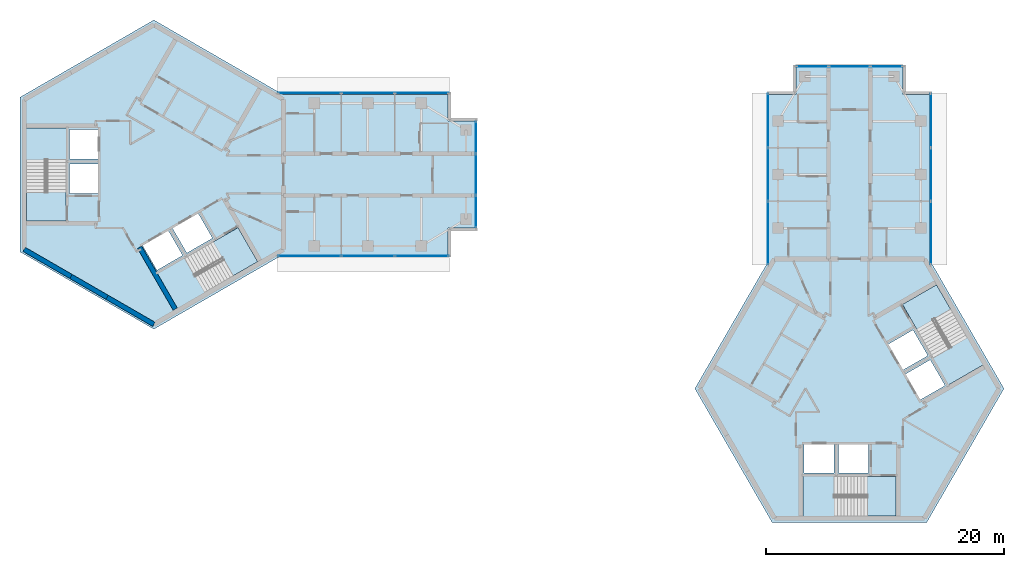
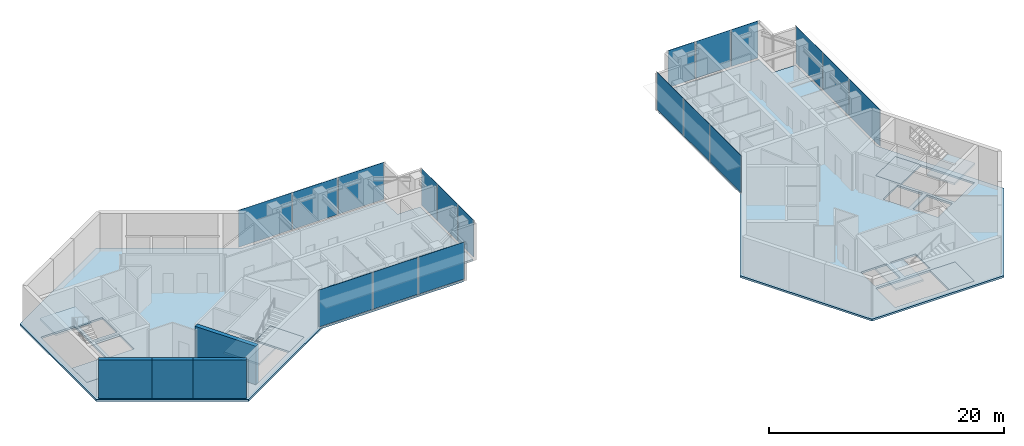
# One storey, part 4 of 11: 18 plates, 10 slabs, 4 walls, 10 elements without a shape of their own.
"""IFC4 building model written with IfcOpenShell, lengths in metres."""

from ifc_helpers import new_model, si_unit, direction, frame, frame_2d, origin, origin_2d, place, context, subcontext, project, spatial, polyline, rectangle, outline, extrude, material, layer, layer_set, type_object, element, aggregate, save


model = new_model("IFC4")

# Units and contexts
model_context = context("Model", 3, precision=1e-05, world=origin(), true_north=direction((0.0, 1.0)))
body_context = subcontext(model_context, "Body", "Model", "MODEL_VIEW")
ifc_project = project(units=[si_unit("LENGTHUNIT", "METRE"), si_unit("AREAUNIT", "SQUARE_METRE"), si_unit("VOLUMEUNIT", "CUBIC_METRE"), si_unit("PLANEANGLEUNIT", "RADIAN"), si_unit("MASSUNIT", "GRAM", prefix="KILO")], contexts=[model_context])

# Site, building, storey
site_placement = place(None, origin())
site = spatial("IfcSite", under=ifc_project, at=site_placement, CompositionType="ELEMENT")
building_placement = place(site_placement, origin())
building = spatial("IfcBuilding", under=site, at=building_placement, Name="Upepo Twin Towers", CompositionType="ELEMENT")
storey_placement = place(building_placement, frame((0.0, 0.0, 271.5)))
storey = spatial("IfcBuildingStorey", under=building, at=storey_placement, Name="L66", CompositionType="ELEMENT", Elevation=271.5)

# Curtain wall, plates
ifc_material_1 = material(Name="Aluminium and fritted glass", Category="aluminium")
curtain_wall_type = type_object("IfcCurtainWallType", Name="Tower curtain wall TW4, fritted glass", PredefinedType="NOTDEFINED", material=ifc_material_1)
curtain_wall_1_placement = place(storey_placement, origin())
curtain_wall_1 = element("IfcCurtainWall", 1, at=curtain_wall_1_placement, inside=storey, type_object=curtain_wall_type, Name="T1 L66 wing A flank L curtain wall", PredefinedType="NOTDEFINED")
ifc_material_2 = material(Name="Ceramic-fritted laminated glass", Category="glass")
ifc_layer_1 = layer(ifc_material_2, 0.031982421875)
ifc_layer_set_1 = layer_set([ifc_layer_1], Name="Fritted glass panel, 70 per cent dot frit, 32 mm double glazed")
plate_type_1 = type_object("IfcPlateType", Name="Fritted glass panel, 70 per cent dot frit, 32 mm double glazed", PredefinedType="CURTAIN_PANEL", material=ifc_layer_set_1)
plate_1_placement = place(storey_placement, frame((13.084716796875, 6.85009765625, 0.14990234375), z_axis=(0.0, 0.0, 1.0), x_axis=(1.0, 0.0, 0.0)))
plate_1 = element("IfcPlate", 2, at=plate_1_placement, type_object=plate_type_1, Name="T1 L66 wing A flank L curtain wall panel 1", PredefinedType="CURTAIN_PANEL", context=body_context, shape_type="SweptSolid", body=[
    extrude(rectangle(XDim=5.265380859375, YDim=0.031982421875, at=origin_2d()), origin(), (0.0, 0.0, 1.0), 3.85009765625),
])
plate_2_placement = place(storey_placement, frame((18.0, 6.85009765625, 0.14990234375), z_axis=(0.0, 0.0, 1.0), x_axis=(1.0, 0.0, 0.0)))
plate_2 = element("IfcPlate", 3, at=plate_2_placement, type_object=plate_type_1, Name="T1 L66 wing A flank L curtain wall panel 2", PredefinedType="CURTAIN_PANEL", context=body_context, shape_type="SweptSolid", body=[
    extrude(rectangle(XDim=4.43505859375, YDim=0.031982421875, at=origin_2d()), origin(), (0.0, 0.0, 1.0), 3.85009765625),
])
plate_3_placement = place(storey_placement, frame((22.53369140625, 6.85009765625, 0.14990234375), z_axis=(0.0, 0.0, 1.0), x_axis=(1.0, 0.0, 0.0)))
plate_3 = element("IfcPlate", 4, at=plate_3_placement, type_object=plate_type_1, Name="T1 L66 wing A flank L curtain wall panel 3", PredefinedType="CURTAIN_PANEL", context=body_context, shape_type="SweptSolid", body=[
    extrude(rectangle(XDim=4.50244140625, YDim=0.031982421875, at=origin_2d()), origin(), (0.0, 0.0, 1.0), 3.85009765625),
])
aggregate(curtain_wall_1, [plate_1, plate_2, plate_3])

curtain_wall_2_placement = place(storey_placement, origin())
curtain_wall_2 = element("IfcCurtainWall", 5, at=curtain_wall_2_placement, inside=storey, type_object=curtain_wall_type, Name="T1 L66 wing A flank R curtain wall", PredefinedType="NOTDEFINED")
plate_4_placement = place(storey_placement, frame((22.53369140625, -6.85009765625, 0.14990234375), z_axis=(0.0, 0.0, 1.0), x_axis=(-1.0, 0.0, 0.0)))
plate_4 = element("IfcPlate", 6, at=plate_4_placement, type_object=plate_type_1, Name="T1 L66 wing A flank R curtain wall panel 1", PredefinedType="CURTAIN_PANEL", context=body_context, shape_type="SweptSolid", body=[
    extrude(rectangle(XDim=4.50244140625, YDim=0.031982421875, at=origin_2d()), origin(), (0.0, 0.0, 1.0), 3.85009765625),
])
plate_5_placement = place(storey_placement, frame((18.0, -6.85009765625, 0.14990234375), z_axis=(0.0, 0.0, 1.0), x_axis=(-1.0, 0.0, 0.0)))
plate_5 = element("IfcPlate", 7, at=plate_5_placement, type_object=plate_type_1, Name="T1 L66 wing A flank R curtain wall panel 2", PredefinedType="CURTAIN_PANEL", context=body_context, shape_type="SweptSolid", body=[
    extrude(rectangle(XDim=4.43505859375, YDim=0.031982421875, at=origin_2d()), origin(), (0.0, 0.0, 1.0), 3.85009765625),
])
plate_6_placement = place(storey_placement, frame((13.084716796875, -6.85009765625, 0.14990234375), z_axis=(0.0, 0.0, 1.0), x_axis=(-1.0, 0.0, 0.0)))
plate_6 = element("IfcPlate", 8, at=plate_6_placement, type_object=plate_type_1, Name="T1 L66 wing A flank R curtain wall panel 3", PredefinedType="CURTAIN_PANEL", context=body_context, shape_type="SweptSolid", body=[
    extrude(rectangle(XDim=5.265380859375, YDim=0.031982421875, at=origin_2d()), origin(), (0.0, 0.0, 1.0), 3.85009765625),
])
aggregate(curtain_wall_2, [plate_4, plate_5, plate_6])

# Curtain wall, plate
curtain_wall_3_placement = place(storey_placement, origin())
curtain_wall_3 = element("IfcCurtainWall", 9, at=curtain_wall_3_placement, inside=storey, type_object=curtain_wall_type, Name="T1 L66 wing A nose curtain wall", PredefinedType="NOTDEFINED")
plate_7_placement = place(storey_placement, frame((27.10009765625, 0.0, 0.14990234375), z_axis=(0.0, 0.0, 1.0), x_axis=(0.0, 1.0, 0.0)))
plate_7 = element("IfcPlate", 10, at=plate_7_placement, type_object=plate_type_1, Name="T1 L66 wing A nose curtain wall panel 2", PredefinedType="CURTAIN_PANEL", context=body_context, shape_type="SweptSolid", body=[
    extrude(rectangle(XDim=3.43505859375, YDim=0.031982421875, at=origin_2d()), origin(), (0.0, 0.0, 1.0), 3.85009765625),
])

# Curtain wall, plates
curtain_wall_4_placement = place(storey_placement, origin())
curtain_wall_4 = element("IfcCurtainWall", 11, at=curtain_wall_4_placement, inside=storey, type_object=curtain_wall_type, Name="T2 L66 wing A flank L curtain wall", PredefinedType="NOTDEFINED")
plate_8_placement = place(storey_placement, frame((51.64990234375, -4.915283203125, 0.14990234375), z_axis=(0.0, 0.0, 1.0), x_axis=(0.0, 1.0, 0.0)))
plate_8 = element("IfcPlate", 12, at=plate_8_placement, type_object=plate_type_1, Name="T2 L66 wing A flank L curtain wall panel 1", PredefinedType="CURTAIN_PANEL", context=body_context, shape_type="SweptSolid", body=[
    extrude(rectangle(XDim=5.265380859375, YDim=0.031982421875, at=origin_2d()), origin(), (0.0, 0.0, 1.0), 3.85009765625),
])
plate_9_placement = place(storey_placement, frame((51.64990234375, 0.0, 0.14990234375), z_axis=(0.0, 0.0, 1.0), x_axis=(0.0, 1.0, 0.0)))
plate_9 = element("IfcPlate", 13, at=plate_9_placement, type_object=plate_type_1, Name="T2 L66 wing A flank L curtain wall panel 2", PredefinedType="CURTAIN_PANEL", context=body_context, shape_type="SweptSolid", body=[
    extrude(rectangle(XDim=4.43505859375, YDim=0.031982421875, at=origin_2d()), origin(), (0.0, 0.0, 1.0), 3.85009765625),
])
plate_10_placement = place(storey_placement, frame((51.64990234375, 4.53369140625, 0.14990234375), z_axis=(0.0, 0.0, 1.0), x_axis=(0.0, 1.0, 0.0)))
plate_10 = element("IfcPlate", 14, at=plate_10_placement, type_object=plate_type_1, Name="T2 L66 wing A flank L curtain wall panel 3", PredefinedType="CURTAIN_PANEL", context=body_context, shape_type="SweptSolid", body=[
    extrude(rectangle(XDim=4.50244140625, YDim=0.031982421875, at=origin_2d()), origin(), (0.0, 0.0, 1.0), 3.85009765625),
])
aggregate(curtain_wall_4, [plate_8, plate_9, plate_10])

curtain_wall_5_placement = place(storey_placement, origin())
curtain_wall_5 = element("IfcCurtainWall", 15, at=curtain_wall_5_placement, inside=storey, type_object=curtain_wall_type, Name="T2 L66 wing A flank R curtain wall", PredefinedType="NOTDEFINED")
plate_11_placement = place(storey_placement, frame((65.35009765625, 4.53369140625, 0.14990234375), z_axis=(0.0, 0.0, 1.0), x_axis=(0.0, -1.0, 0.0)))
plate_11 = element("IfcPlate", 16, at=plate_11_placement, type_object=plate_type_1, Name="T2 L66 wing A flank R curtain wall panel 1", PredefinedType="CURTAIN_PANEL", context=body_context, shape_type="SweptSolid", body=[
    extrude(rectangle(XDim=4.50244140625, YDim=0.031982421875, at=origin_2d()), origin(), (0.0, 0.0, 1.0), 3.85009765625),
])
plate_12_placement = place(storey_placement, frame((65.35009765625, 0.0, 0.14990234375), z_axis=(0.0, 0.0, 1.0), x_axis=(0.0, -1.0, 0.0)))
plate_12 = element("IfcPlate", 17, at=plate_12_placement, type_object=plate_type_1, Name="T2 L66 wing A flank R curtain wall panel 2", PredefinedType="CURTAIN_PANEL", context=body_context, shape_type="SweptSolid", body=[
    extrude(rectangle(XDim=4.43505859375, YDim=0.031982421875, at=origin_2d()), origin(), (0.0, 0.0, 1.0), 3.85009765625),
])
plate_13_placement = place(storey_placement, frame((65.35009765625, -4.915283203125, 0.14990234375), z_axis=(0.0, 0.0, 1.0), x_axis=(0.0, -1.0, 0.0)))
plate_13 = element("IfcPlate", 18, at=plate_13_placement, type_object=plate_type_1, Name="T2 L66 wing A flank R curtain wall panel 3", PredefinedType="CURTAIN_PANEL", context=body_context, shape_type="SweptSolid", body=[
    extrude(rectangle(XDim=5.265380859375, YDim=0.031982421875, at=origin_2d()), origin(), (0.0, 0.0, 1.0), 3.85009765625),
])
aggregate(curtain_wall_5, [plate_11, plate_12, plate_13])

# Curtain wall, plate
curtain_wall_6_placement = place(storey_placement, origin())
curtain_wall_6 = element("IfcCurtainWall", 19, at=curtain_wall_6_placement, inside=storey, type_object=curtain_wall_type, Name="T2 L66 wing A nose curtain wall", PredefinedType="NOTDEFINED")
plate_14_placement = place(storey_placement, frame((58.5, 9.10009765625, 0.14990234375), z_axis=(0.0, 0.0, 1.0), x_axis=(-1.0, 0.0, 0.0)))
plate_14 = element("IfcPlate", 20, at=plate_14_placement, type_object=plate_type_1, Name="T2 L66 wing A nose curtain wall panel 2", PredefinedType="CURTAIN_PANEL", context=body_context, shape_type="SweptSolid", body=[
    extrude(rectangle(XDim=3.43505859375, YDim=0.031982421875, at=origin_2d()), origin(), (0.0, 0.0, 1.0), 3.85009765625),
])

# Plate
ifc_material_3 = material(Name="Clear laminated glass in opening sash", Category="glass")
ifc_layer_2 = layer(ifc_material_3, 0.031982421875)
ifc_layer_set_2 = layer_set([ifc_layer_2], Name="Operable glass panel, 32 mm double glazed")
plate_type_2 = type_object("IfcPlateType", Name="Operable glass panel, 32 mm double glazed", PredefinedType="CURTAIN_PANEL", material=ifc_layer_set_2)
plate_15_placement = place(storey_placement, frame((27.10009765625, -3.108642578125, 0.14990234375), z_axis=(0.0, 0.0, 1.0), x_axis=(0.0, 1.0, 0.0)))
plate_15 = element("IfcPlate", 21, at=plate_15_placement, type_object=plate_type_2, Name="T1 L66 wing A nose curtain wall panel 1", PredefinedType="CURTAIN_PANEL", context=body_context, shape_type="SweptSolid", body=[
    extrude(rectangle(XDim=2.652587890625, YDim=0.031982421875, at=origin_2d()), origin(), (0.0, 0.0, 1.0), 3.85009765625),
])

plate_16_placement = place(storey_placement, frame((27.10009765625, 3.108642578125, 0.14990234375), z_axis=(0.0, 0.0, 1.0), x_axis=(0.0, 1.0, 0.0)))
plate_16 = element("IfcPlate", 22, at=plate_16_placement, type_object=plate_type_2, Name="T1 L66 wing A nose curtain wall panel 3", PredefinedType="CURTAIN_PANEL", context=body_context, shape_type="SweptSolid", body=[
    extrude(rectangle(XDim=2.652587890625, YDim=0.031982421875, at=origin_2d()), origin(), (0.0, 0.0, 1.0), 3.85009765625),
])

aggregate(curtain_wall_3, [plate_15, plate_7, plate_16])

plate_17_placement = place(storey_placement, frame((61.608642578125, 9.10009765625, 0.14990234375), z_axis=(0.0, 0.0, 1.0), x_axis=(-1.0, 0.0, 0.0)))
plate_17 = element("IfcPlate", 23, at=plate_17_placement, type_object=plate_type_2, Name="T2 L66 wing A nose curtain wall panel 1", PredefinedType="CURTAIN_PANEL", context=body_context, shape_type="SweptSolid", body=[
    extrude(rectangle(XDim=2.652587890625, YDim=0.031982421875, at=origin_2d()), origin(), (0.0, 0.0, 1.0), 3.85009765625),
])

plate_18_placement = place(storey_placement, frame((55.391357421875, 9.10009765625, 0.14990234375), z_axis=(0.0, 0.0, 1.0), x_axis=(-1.0, 0.0, 0.0)))
plate_18 = element("IfcPlate", 24, at=plate_18_placement, type_object=plate_type_2, Name="T2 L66 wing A nose curtain wall panel 3", PredefinedType="CURTAIN_PANEL", context=body_context, shape_type="SweptSolid", body=[
    extrude(rectangle(XDim=2.652587890625, YDim=0.031982421875, at=origin_2d()), origin(), (0.0, 0.0, 1.0), 3.85009765625),
])

aggregate(curtain_wall_6, [plate_17, plate_14, plate_18])

# Stair, slabs
ifc_material_4 = material(Name="Concrete C40/50", Category="concrete")
stair_type = type_object("IfcStairType", Name="Core stair, two flights", PredefinedType="HALF_TURN_STAIR", material=ifc_material_4)
stair_1_placement = place(storey_placement, origin())
stair_1 = element("IfcStair", 25, at=stair_1_placement, inside=storey, type_object=stair_type, Name="T1 stair S1 L66", PredefinedType="HALF_TURN_STAIR")
ifc_material_5 = material(Name="Concrete C40/50", Category="concrete")
ifc_layer_3 = layer(ifc_material_5, 0.199951171875)
ifc_layer_set_3 = layer_set([ifc_layer_3], Name="Concrete C40/50")
slab_type_1 = type_object("IfcSlabType", Name="Stair landing 200 RC", PredefinedType="LANDING", material=ifc_layer_set_3)
slab_1_placement = place(storey_placement, frame((0.0, 0.0, -0.199951171875)))
slab_1 = element("IfcSlab", 26, at=slab_1_placement, type_object=slab_type_1, Name="Stair S1 landing 1", PredefinedType="LANDING", context=body_context, shape_type="SweptSolid", body=[
    extrude(outline(polyline([(-7.39990234375, -1.419921875), (-10.708251953125, -1.419921875), (-10.708251953125, -3.89990234375), (-7.39990234375, -3.89990234375), (-7.39990234375, -1.419921875)])), origin(), (0.0, 0.0, 1.0), 0.199951171875),
])
slab_2_placement = place(storey_placement, frame((0.0, 0.0, 1.800048828125)))
slab_2 = element("IfcSlab", 27, at=slab_2_placement, type_object=slab_type_1, Name="Stair S1 landing 2", PredefinedType="LANDING", context=body_context, shape_type="SweptSolid", body=[
    extrude(outline(polyline([(-7.300048828125, 3.89990234375), (-10.808349609375, 3.89990234375), (-10.808349609375, 1.179931640625), (-7.300048828125, 1.179931640625), (-7.300048828125, 3.89990234375)])), origin(), (0.0, 0.0, 1.0), 0.199951171875),
])
aggregate(stair_1, [slab_1, slab_2])

stair_2_placement = place(storey_placement, origin())
stair_2 = element("IfcStair", 28, at=stair_2_placement, inside=storey, type_object=stair_type, Name="T1 stair S2 L66", PredefinedType="HALF_TURN_STAIR")
slab_3_placement = place(storey_placement, frame((0.0, 0.0, -0.199951171875)))
slab_3 = element("IfcSlab", 29, at=slab_3_placement, type_object=slab_type_1, Name="Stair S2 landing 1", PredefinedType="LANDING", context=body_context, shape_type="SweptSolid", body=[
    extrude(outline(polyline([(4.9296875, -5.698486328125), (6.583984375, -8.563720703125), (8.731689453125, -7.32373046875), (7.077392578125, -4.45849609375), (4.9296875, -5.698486328125)])), origin(), (0.0, 0.0, 1.0), 0.199951171875),
])
slab_4_placement = place(storey_placement, frame((0.0, 0.0, 1.800048828125)))
slab_4 = element("IfcSlab", 30, at=slab_4_placement, type_object=slab_type_1, Name="Stair S2 landing 2", PredefinedType="LANDING", context=body_context, shape_type="SweptSolid", body=[
    extrude(outline(polyline([(0.2724609375, -8.27197265625), (2.026611328125, -11.310302734375), (4.38232421875, -9.9501953125), (2.628173828125, -6.911865234375), (0.2724609375, -8.27197265625)])), origin(), (0.0, 0.0, 1.0), 0.199951171875),
])
aggregate(stair_2, [slab_3, slab_4])

stair_3_placement = place(storey_placement, origin())
stair_3 = element("IfcStair", 31, at=stair_3_placement, inside=storey, type_object=stair_type, Name="T2 stair S1 L66", PredefinedType="HALF_TURN_STAIR")
slab_5_placement = place(storey_placement, frame((0.0, 0.0, -0.199951171875)))
slab_5 = element("IfcSlab", 32, at=slab_5_placement, type_object=slab_type_1, Name="Stair S1 landing 1", PredefinedType="LANDING", context=body_context, shape_type="SweptSolid", body=[
    extrude(outline(polyline([(59.919921875, -25.39990234375), (59.919921875, -28.708251953125), (62.39990234375, -28.708251953125), (62.39990234375, -25.39990234375), (59.919921875, -25.39990234375)])), origin(), (0.0, 0.0, 1.0), 0.199951171875),
])
slab_6_placement = place(storey_placement, frame((0.0, 0.0, 1.800048828125)))
slab_6 = element("IfcSlab", 33, at=slab_6_placement, type_object=slab_type_1, Name="Stair S1 landing 2", PredefinedType="LANDING", context=body_context, shape_type="SweptSolid", body=[
    extrude(outline(polyline([(54.60009765625, -25.300048828125), (54.60009765625, -28.808349609375), (57.320068359375, -28.808349609375), (57.320068359375, -25.300048828125), (54.60009765625, -25.300048828125)])), origin(), (0.0, 0.0, 1.0), 0.199951171875),
])
aggregate(stair_3, [slab_5, slab_6])

stair_4_placement = place(storey_placement, origin())
stair_4 = element("IfcStair", 34, at=stair_4_placement, inside=storey, type_object=stair_type, Name="T2 stair S2 L66", PredefinedType="HALF_TURN_STAIR")
slab_7_placement = place(storey_placement, frame((0.0, 0.0, -0.199951171875)))
slab_7 = element("IfcSlab", 35, at=slab_7_placement, type_object=slab_type_1, Name="Stair S2 landing 1", PredefinedType="LANDING", context=body_context, shape_type="SweptSolid", body=[
    extrude(outline(polyline([(64.198486328125, -13.0703125), (67.063720703125, -11.416015625), (65.82373046875, -9.268310546875), (62.95849609375, -10.922607421875), (64.198486328125, -13.0703125)])), origin(), (0.0, 0.0, 1.0), 0.199951171875),
])
slab_8_placement = place(storey_placement, frame((0.0, 0.0, 1.800048828125)))
slab_8 = element("IfcSlab", 36, at=slab_8_placement, type_object=slab_type_1, Name="Stair S2 landing 2", PredefinedType="LANDING", context=body_context, shape_type="SweptSolid", body=[
    extrude(outline(polyline([(66.77197265625, -17.7275390625), (69.810302734375, -15.973388671875), (68.4501953125, -13.61767578125), (65.411865234375, -15.371826171875), (66.77197265625, -17.7275390625)])), origin(), (0.0, 0.0, 1.0), 0.199951171875),
])
aggregate(stair_4, [slab_7, slab_8])

# Slabs
ifc_material_6 = material(Name="Concrete C40/50", Category="concrete")
ifc_layer_4 = layer(ifc_material_6, 0.199951171875)
ifc_layer_set_4 = layer_set([ifc_layer_4], Name="Concrete C40/50")
slab_type_2 = type_object("IfcSlabType", Name="Tower floor slab 200 RC", PredefinedType="FLOOR", material=ifc_layer_set_4)
slab_9_placement = place(storey_placement, frame((0.0, 0.0, -0.199951171875)))
element("IfcSlab", 37, at=slab_9_placement, inside=storey, type_object=slab_type_2, Name="T1 L66 floor slab", PredefinedType="FLOOR", context=body_context, shape_type="SweptSolid", body=[
    extrude(outline(polyline([(0.0, -13.0), (-11.25830078125, -6.5), (-11.25830078125, 6.5), (0.0, 13.0), (10.825439453125, 6.75), (24.75, 6.75), (24.75, 4.5), (27.0, 4.5), (27.0, -4.5), (24.75, -4.5), (24.75, -6.75), (10.825439453125, -6.75), (0.0, -13.0)]), holes=[polyline([(-4.699951171875, 3.800048828125), (-7.10009765625, 3.800048828125), (-7.10009765625, 1.300048828125), (-4.699951171875, 1.300048828125), (-4.699951171875, 3.800048828125)]), polyline([(-4.699951171875, 0.89990234375), (-7.10009765625, 0.89990234375), (-7.10009765625, -1.60009765625), (-4.699951171875, -1.60009765625), (-4.699951171875, 0.89990234375)]), polyline([(-7.39990234375, 3.89990234375), (-10.708251953125, 3.89990234375), (-10.708251953125, -3.89990234375), (-7.39990234375, -3.89990234375), (-7.39990234375, 3.89990234375)]), polyline([(-0.94091796875, -5.97021484375), (0.259033203125, -8.048828125), (2.424072265625, -6.798828125), (1.22412109375, -4.72021484375), (-0.94091796875, -5.97021484375)]), polyline([(1.570556640625, -4.520263671875), (2.7705078125, -6.598876953125), (4.935546875, -5.348876953125), (3.735595703125, -3.270263671875), (1.570556640625, -4.520263671875)]), polyline([(0.322509765625, -8.358642578125), (1.9765625, -11.2236328125), (8.731689453125, -7.32373046875), (7.077392578125, -4.45849609375), (0.322509765625, -8.358642578125)])]), origin(), (0.0, 0.0, 1.0), 0.199951171875),
])
slab_10_placement = place(storey_placement, frame((0.0, 0.0, -0.199951171875)))
element("IfcSlab", 38, at=slab_10_placement, inside=storey, type_object=slab_type_2, Name="T2 L66 floor slab", PredefinedType="FLOOR", context=body_context, shape_type="SweptSolid", body=[
    extrude(outline(polyline([(71.5, -18.0), (65.0, -29.25830078125), (52.0, -29.25830078125), (45.5, -18.0), (51.75, -7.174560546875), (51.75, 6.75), (54.0, 6.75), (54.0, 9.0), (63.0, 9.0), (63.0, 6.75), (65.25, 6.75), (65.25, -7.174560546875), (71.5, -18.0)]), holes=[polyline([(54.699951171875, -22.699951171875), (54.699951171875, -25.10009765625), (57.199951171875, -25.10009765625), (57.199951171875, -22.699951171875), (54.699951171875, -22.699951171875)]), polyline([(57.60009765625, -22.699951171875), (57.60009765625, -25.10009765625), (60.10009765625, -25.10009765625), (60.10009765625, -22.699951171875), (57.60009765625, -22.699951171875)]), polyline([(54.60009765625, -25.39990234375), (54.60009765625, -28.708251953125), (62.39990234375, -28.708251953125), (62.39990234375, -25.39990234375), (54.60009765625, -25.39990234375)]), polyline([(64.47021484375, -18.94091796875), (66.548828125, -17.740966796875), (65.298828125, -15.575927734375), (63.22021484375, -16.77587890625), (64.47021484375, -18.94091796875)]), polyline([(63.020263671875, -16.429443359375), (65.098876953125, -15.2294921875), (63.848876953125, -13.064453125), (61.770263671875, -14.264404296875), (63.020263671875, -16.429443359375)]), polyline([(66.858642578125, -17.677490234375), (69.7236328125, -16.0234375), (65.82373046875, -9.268310546875), (62.95849609375, -10.922607421875), (66.858642578125, -17.677490234375)])]), origin(), (0.0, 0.0, 1.0), 0.199951171875),
])

# Walls
ifc_material_7 = material(Name="Concrete C60/75", Category="concrete")
ifc_layer_5 = layer(ifc_material_7, 0.39990234375)
ifc_layer_set_5 = layer_set([ifc_layer_5], Name="Concrete C60/75")
wall_type_1 = type_object("IfcWallType", Name="Core wall 400 RC", PredefinedType="SHEAR", material=ifc_layer_set_5)
wall_1_placement = place(storey_placement, frame((-10.908447265625, -6.2978515625, 0.0), z_axis=(0.0, 0.0, 1.0), x_axis=(0.866034513004, -0.499984222037, 0.0)))
element("IfcWall", 39, at=wall_1_placement, inside=storey, type_object=wall_type_1, Name="T1 core wall 240 R", PredefinedType="SHEAR", context=body_context, shape_type="SweptSolid", body=[
    extrude(rectangle(XDim=4.548095703125, YDim=0.39990234375, at=frame_2d((2.27392578125, 0.0))), origin(), (0.0, 0.0, 1.0), 4.0),
])
wall_2_placement = place(storey_placement, frame((-6.9697265625, -8.57177734375, 0.0), z_axis=(0.0, 0.0, 1.0), x_axis=(0.866019471182, -0.500010275428, 0.0)))
element("IfcWall", 40, at=wall_2_placement, inside=storey, type_object=wall_type_1, Name="T1 core wall 240", PredefinedType="SHEAR", context=body_context, shape_type="SweptSolid", body=[
    extrude(rectangle(XDim=3.5, YDim=0.39990234375, at=frame_2d((1.75, 0.0))), origin(), (0.0, 0.0, 1.0), 4.0),
])
wall_3_placement = place(storey_placement, frame((-3.938720703125, -10.32177734375, 0.0), z_axis=(0.0, 0.0, 1.0), x_axis=(0.866011268655, -0.500024481964, 0.0)))
element("IfcWall", 41, at=wall_3_placement, inside=storey, type_object=wall_type_1, Name="T1 core wall 240 L", PredefinedType="SHEAR", context=body_context, shape_type="SweptSolid", body=[
    extrude(rectangle(XDim=4.548095703125, YDim=0.39990234375, at=frame_2d((2.27392578125, 0.0))), origin(), (0.0, 0.0, 1.0), 4.0),
])
ifc_material_8 = material(Name="Concrete C40/50", Category="concrete")
ifc_layer_6 = layer(ifc_material_8, 0.39990234375)
ifc_layer_set_6 = layer_set([ifc_layer_6], Name="Concrete C40/50")
wall_type_2 = type_object("IfcWallType", Name="Shaft wall 400 RC", PredefinedType="SHEAR", material=ifc_layer_set_6)
wall_4_placement = place(storey_placement, frame((-1.20068359375, -6.120361328125, 0.0), z_axis=(0.0, 0.0, 1.0), x_axis=(0.499997979876, -0.866026570101, 0.0)))
element("IfcWall", 42, at=wall_4_placement, inside=storey, type_object=wall_type_2, Name="T1 core W300 side wall S", PredefinedType="SHEAR", context=body_context, shape_type="SweptSolid", body=[
    extrude(rectangle(XDim=6.00830078125, YDim=0.39990234375, at=frame_2d((3.004150390625, 0.0))), origin(), (0.0, 0.0, 1.0), 4.0),
])

save(model, "model.ifc")
